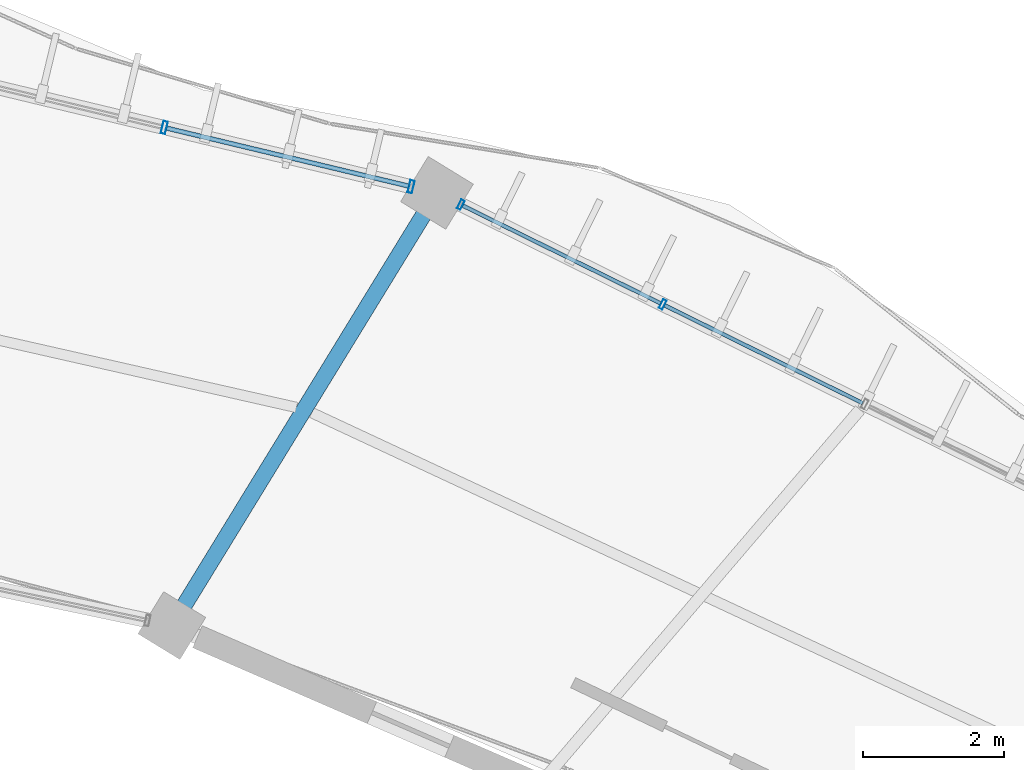
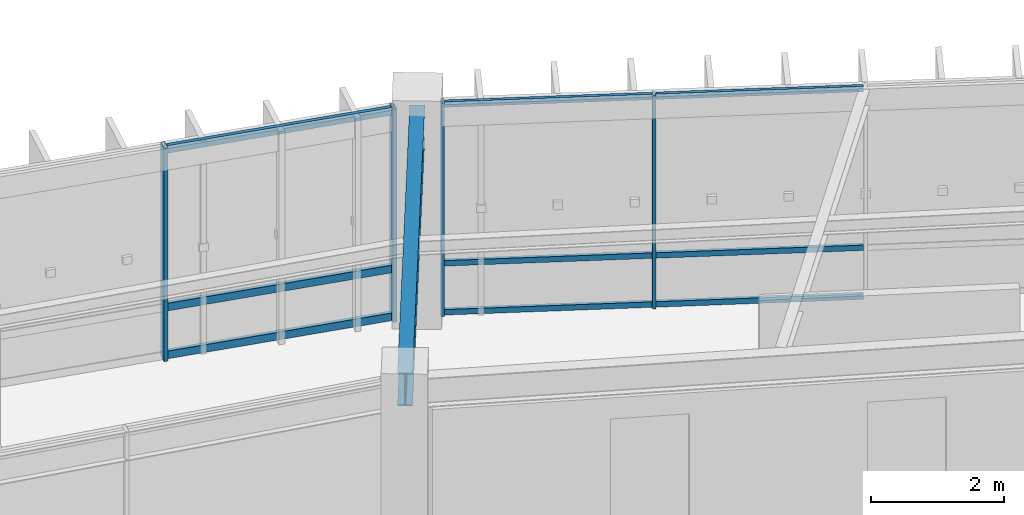
# One storey, part 82 of 152: 13 members, 1 beam, 2 elements without a shape of their own.
"""IFC4 building model written with IfcOpenShell, lengths in metres."""

from ifc_helpers import new_model, si_unit, direction, frame, origin, origin_2d, place, context, subcontext, project, spatial, hollow_rectangle, i_section, extrude, material, material_profile, profile_set, type_object, element, aggregate, save


model = new_model("IFC4")

# Units and contexts
model_context = context("Model", 3, precision=1e-05, world=origin(), true_north=direction((0.0, 1.0)))
body_context = subcontext(model_context, "Body", "Model", "MODEL_VIEW")
ifc_project = project(units=[si_unit("LENGTHUNIT", "METRE"), si_unit("AREAUNIT", "SQUARE_METRE"), si_unit("VOLUMEUNIT", "CUBIC_METRE"), si_unit("PLANEANGLEUNIT", "RADIAN"), si_unit("MASSUNIT", "GRAM", prefix="KILO"), si_unit("THERMODYNAMICTEMPERATUREUNIT", "KELVIN"), si_unit("POWERUNIT", "WATT")], contexts=[model_context])

# Site, building, storey
site_placement = place(None, origin())
site = spatial("IfcSite", under=ifc_project, at=site_placement, CompositionType="ELEMENT")
building_placement = place(site_placement, origin())
building = spatial("IfcBuilding", under=site, at=building_placement, Name="Darbajah Civic Hall", CompositionType="ELEMENT")
storey_placement = place(building_placement, frame((0.0, 0.0, 5.39990234375)))
storey = spatial("IfcBuildingStorey", under=building, at=storey_placement, Name="L01", CompositionType="ELEMENT", Elevation=5.39990234375)

# Curtain wall, members
ifc_material_1 = material(Name="Anodised Bronze Aluminium and Low-E Glazing", Category="aluminium")
curtain_wall_type_1 = type_object("IfcCurtainWallType", Name="Unitised Curtain Wall CW-20 12800x3900", PredefinedType="USERDEFINED", material=ifc_material_1)
curtain_wall_1_placement = place(storey_placement, origin())
curtain_wall_1 = element("IfcCurtainWall", 1, at=curtain_wall_1_placement, inside=storey, type_object=curtain_wall_type_1, Name="L01 unitised curtain wall CW-V1O-L01-02", ObjectType="UNITISED CURTAIN WALL", PredefinedType="USERDEFINED")
ifc_material_2 = material(Name="Anodised Bronze Aluminium", Category="aluminium")
ifc_material_profile_1 = material_profile(ifc_material_2, hollow_rectangle(XDim=0.054931640625, YDim=0.139892578125, WallThickness=0.003173828125, at=origin_2d()), Name="ALU MULLION 55x140")
ifc_profile_set_1 = profile_set([ifc_material_profile_1], Name="Anodised Bronze Aluminium")
member_type_1 = type_object("IfcMemberType", Name="ALU MULLION 55x140", PredefinedType="MULLION", material=ifc_profile_set_1)
member_1_placement = place(storey_placement, frame((118.94970703125, 113.370849609375, 0.0), z_axis=(0.0, 0.0, 1.0), x_axis=(-0.89656374724, 0.442914717678, 0.0)))
member_1 = element("IfcMember", 2, at=member_1_placement, type_object=member_type_1, Name="CW-V1O-L01-02 mullion 4", PredefinedType="MULLION", context=body_context, shape_type="SweptSolid", body=[
    extrude(hollow_rectangle(XDim=0.054931640625, YDim=0.139892578125, WallThickness=0.003173828125, at=origin_2d()), origin(), (0.0, 0.0, 1.0), 3.920166015625),
])
member_2_placement = place(storey_placement, frame((116.08544921875, 114.785888671875, 0.0), z_axis=(0.0, 0.0, 1.0), x_axis=(-0.89656374724, 0.442914717678, 0.0)))
member_2 = element("IfcMember", 3, at=member_2_placement, type_object=member_type_1, Name="CW-V1O-L01-02 mullion 5", PredefinedType="MULLION", context=body_context, shape_type="SweptSolid", body=[
    extrude(hollow_rectangle(XDim=0.054931640625, YDim=0.139892578125, WallThickness=0.003173828125, at=origin_2d()), origin(), (0.0, 0.0, 1.0), 3.920166015625),
])

curtain_wall_type_2 = type_object("IfcCurtainWallType", Name="Unitised Curtain Wall CW-21 14400x3900", PredefinedType="USERDEFINED", material=ifc_material_1)
curtain_wall_2_placement = place(storey_placement, origin())
curtain_wall_2 = element("IfcCurtainWall", 4, at=curtain_wall_2_placement, inside=storey, type_object=curtain_wall_type_2, Name="L01 unitised curtain wall CW-V1O-L01-03", ObjectType="UNITISED CURTAIN WALL", PredefinedType="USERDEFINED")
ifc_material_profile_2 = material_profile(ifc_material_2, hollow_rectangle(XDim=0.06494140625, YDim=0.179931640625, WallThickness=0.00390625, at=origin_2d()), Name="ALU MULLION 65x180")
ifc_profile_set_2 = profile_set([ifc_material_profile_2], Name="Anodised Bronze Aluminium")
member_type_2 = type_object("IfcMemberType", Name="ALU MULLION 65x180", PredefinedType="MULLION", material=ifc_profile_set_2)
member_3_placement = place(storey_placement, frame((115.380859375, 115.040771484375, 0.0), z_axis=(0.0, 0.0, 1.0), x_axis=(-0.972492018808, 0.232936200179, 0.0)))
member_3 = element("IfcMember", 5, at=member_3_placement, type_object=member_type_2, Name="CW-V1O-L01-03 mullion 1", PredefinedType="MULLION", context=body_context, shape_type="SweptSolid", body=[
    extrude(hollow_rectangle(XDim=0.06494140625, YDim=0.179931640625, WallThickness=0.00390625, at=origin_2d()), origin(), (0.0, 0.0, 1.0), 3.920166015625),
])
member_4_placement = place(storey_placement, frame((111.878662109375, 115.8798828125, 0.0), z_axis=(0.0, 0.0, 1.0), x_axis=(-0.972492018808, 0.232936200179, 0.0)))
member_4 = element("IfcMember", 6, at=member_4_placement, type_object=member_type_2, Name="CW-V1O-L01-03 mullion 2", PredefinedType="MULLION", context=body_context, shape_type="SweptSolid", body=[
    extrude(hollow_rectangle(XDim=0.06494140625, YDim=0.179931640625, WallThickness=0.00390625, at=origin_2d()), origin(), (0.0, 0.0, 1.0), 3.920166015625),
])

# Member
ifc_material_profile_3 = material_profile(ifc_material_2, hollow_rectangle(XDim=0.054931640625, YDim=0.10009765625, WallThickness=0.0029296875, at=origin_2d()), Name="ALU TRANSOM 55x100")
ifc_profile_set_3 = profile_set([ifc_material_profile_3], Name="Anodised Bronze Aluminium")
member_type_3 = type_object("IfcMemberType", Name="ALU TRANSOM 55x100", PredefinedType="USERDEFINED", material=ifc_profile_set_3)
member_5_placement = place(storey_placement, frame((121.784912109375, 111.97021484375, 0.050048828125), z_axis=(-0.89655441453, 0.442933608779, 0.0), x_axis=(-0.442933608779, -0.89655441453, 0.0)))
member_5 = element("IfcMember", 7, at=member_5_placement, type_object=member_type_3, Name="CW-V1O-L01-02 transom 3.1", ObjectType="TRANSOM", PredefinedType="USERDEFINED", context=body_context, shape_type="SweptSolid", body=[
    extrude(hollow_rectangle(XDim=0.054931640625, YDim=0.10009765625, WallThickness=0.0029296875, at=origin_2d()), origin(), (0.0, 0.0, 1.0), 3.129638671875),
])

member_6_placement = place(storey_placement, frame((121.784912109375, 111.97021484375, 0.9501953125), z_axis=(-0.89655441453, 0.442933608779, 0.0), x_axis=(-0.442933608779, -0.89655441453, 0.0)))
member_6 = element("IfcMember", 8, at=member_6_placement, type_object=member_type_3, Name="CW-V1O-L01-02 transom 3.2", ObjectType="TRANSOM", PredefinedType="USERDEFINED", context=body_context, shape_type="SweptSolid", body=[
    extrude(hollow_rectangle(XDim=0.054931640625, YDim=0.10009765625, WallThickness=0.0029296875, at=origin_2d()), origin(), (0.0, 0.0, 1.0), 3.129638671875),
])

member_7_placement = place(storey_placement, frame((121.784912109375, 111.97021484375, 3.8701171875), z_axis=(-0.89655441453, 0.442933608779, 0.0), x_axis=(-0.442933608779, -0.89655441453, 0.0)))
member_7 = element("IfcMember", 9, at=member_7_placement, type_object=member_type_3, Name="CW-V1O-L01-02 transom 3.3", ObjectType="TRANSOM", PredefinedType="USERDEFINED", context=body_context, shape_type="SweptSolid", body=[
    extrude(hollow_rectangle(XDim=0.054931640625, YDim=0.10009765625, WallThickness=0.0029296875, at=origin_2d()), origin(), (0.0, 0.0, 1.0), 3.129638671875),
])

member_8_placement = place(storey_placement, frame((118.920654296875, 113.38525390625, 0.050048828125), z_axis=(-0.896569717473, 0.442902632314, 0.0), x_axis=(-0.442902632314, -0.896569717473, 0.0)))
member_8 = element("IfcMember", 10, at=member_8_placement, type_object=member_type_3, Name="CW-V1O-L01-02 transom 4.1", ObjectType="TRANSOM", PredefinedType="USERDEFINED", context=body_context, shape_type="SweptSolid", body=[
    extrude(hollow_rectangle(XDim=0.054931640625, YDim=0.10009765625, WallThickness=0.0029296875, at=origin_2d()), origin(), (0.0, 0.0, 1.0), 3.1298828125),
])

member_9_placement = place(storey_placement, frame((118.920654296875, 113.38525390625, 0.9501953125), z_axis=(-0.896569717473, 0.442902632314, 0.0), x_axis=(-0.442902632314, -0.896569717473, 0.0)))
member_9 = element("IfcMember", 11, at=member_9_placement, type_object=member_type_3, Name="CW-V1O-L01-02 transom 4.2", ObjectType="TRANSOM", PredefinedType="USERDEFINED", context=body_context, shape_type="SweptSolid", body=[
    extrude(hollow_rectangle(XDim=0.054931640625, YDim=0.10009765625, WallThickness=0.0029296875, at=origin_2d()), origin(), (0.0, 0.0, 1.0), 3.1298828125),
])

member_10_placement = place(storey_placement, frame((118.920654296875, 113.38525390625, 3.8701171875), z_axis=(-0.896569717473, 0.442902632314, 0.0), x_axis=(-0.442902632314, -0.896569717473, 0.0)))
member_10 = element("IfcMember", 12, at=member_10_placement, type_object=member_type_3, Name="CW-V1O-L01-02 transom 4.3", ObjectType="TRANSOM", PredefinedType="USERDEFINED", context=body_context, shape_type="SweptSolid", body=[
    extrude(hollow_rectangle(XDim=0.054931640625, YDim=0.10009765625, WallThickness=0.0029296875, at=origin_2d()), origin(), (0.0, 0.0, 1.0), 3.1298828125),
])

aggregate(curtain_wall_1, [member_1, member_2, member_5, member_6, member_7, member_8, member_9, member_10])

ifc_material_profile_4 = material_profile(ifc_material_2, hollow_rectangle(XDim=0.06494140625, YDim=0.139892578125, WallThickness=0.00341796875, at=origin_2d()), Name="ALU TRANSOM 65x140")
ifc_profile_set_4 = profile_set([ifc_material_profile_4], Name="Anodised Bronze Aluminium")
member_type_4 = type_object("IfcMemberType", Name="ALU TRANSOM 65x140", PredefinedType="USERDEFINED", material=ifc_profile_set_4)
member_11_placement = place(storey_placement, frame((115.34423828125, 115.04931640625, 0.070068359375), z_axis=(-0.972466430891, 0.23304300202, 0.0), x_axis=(-0.23304300202, -0.972466430891, 0.0)))
member_11 = element("IfcMember", 13, at=member_11_placement, type_object=member_type_4, Name="CW-V1O-L01-03 transom 1.1", ObjectType="TRANSOM", PredefinedType="USERDEFINED", context=body_context, shape_type="SweptSolid", body=[
    extrude(hollow_rectangle(XDim=0.06494140625, YDim=0.139892578125, WallThickness=0.00341796875, at=origin_2d()), origin(), (0.0, 0.0, 1.0), 3.5263671875),
])

member_12_placement = place(storey_placement, frame((115.34423828125, 115.04931640625, 0.9501953125), z_axis=(-0.972466430891, 0.23304300202, 0.0), x_axis=(-0.23304300202, -0.972466430891, 0.0)))
member_12 = element("IfcMember", 14, at=member_12_placement, type_object=member_type_4, Name="CW-V1O-L01-03 transom 1.2", ObjectType="TRANSOM", PredefinedType="USERDEFINED", context=body_context, shape_type="SweptSolid", body=[
    extrude(hollow_rectangle(XDim=0.06494140625, YDim=0.139892578125, WallThickness=0.00341796875, at=origin_2d()), origin(), (0.0, 0.0, 1.0), 3.5263671875),
])

member_13_placement = place(storey_placement, frame((115.34423828125, 115.04931640625, 3.85009765625), z_axis=(-0.972466430891, 0.23304300202, 0.0), x_axis=(-0.23304300202, -0.972466430891, 0.0)))
member_13 = element("IfcMember", 15, at=member_13_placement, type_object=member_type_4, Name="CW-V1O-L01-03 transom 1.3", ObjectType="TRANSOM", PredefinedType="USERDEFINED", context=body_context, shape_type="SweptSolid", body=[
    extrude(hollow_rectangle(XDim=0.06494140625, YDim=0.139892578125, WallThickness=0.00341796875, at=origin_2d()), origin(), (0.0, 0.0, 1.0), 3.5263671875),
])

aggregate(curtain_wall_2, [member_3, member_4, member_11, member_12, member_13])

# Beam
ifc_material_3 = material(Name="Steel S355JR", Category="steel")
ifc_material_profile_5 = material_profile(ifc_material_3, i_section(OverallWidth=0.228271484375, OverallDepth=0.607666015625, WebThickness=0.010986328125, FlangeThickness=0.017333984375, FilletRadius=0.0126953125, at=origin_2d()), Name="UB 610x229x113")
ifc_profile_set_5 = profile_set([ifc_material_profile_5], Name="Steel S355JR")
beam_type = type_object("IfcBeamType", Name="UB 610x229x113", PredefinedType="BEAM", material=ifc_profile_set_5)
beam_placement = place(storey_placement, frame((112.027099609375, 108.882080078125, 3.6162109375), z_axis=(0.522500254411, 0.852639128905, 0.0), x_axis=(-0.852639128905, 0.522500254411, 0.0)))
element("IfcBeam", 16, at=beam_placement, inside=storey, type_object=beam_type, Name="L01 beam SB-610", PredefinedType="BEAM", context=body_context, shape_type="SweptSolid", body=[
    extrude(i_section(OverallWidth=0.228271484375, OverallDepth=0.607666015625, WebThickness=0.010986328125, FlangeThickness=0.017333984375, FilletRadius=0.0126953125, at=origin_2d()), origin(), (0.0, 0.0, 1.0), 7.0400390625),
])

save(model, "model.ifc")
